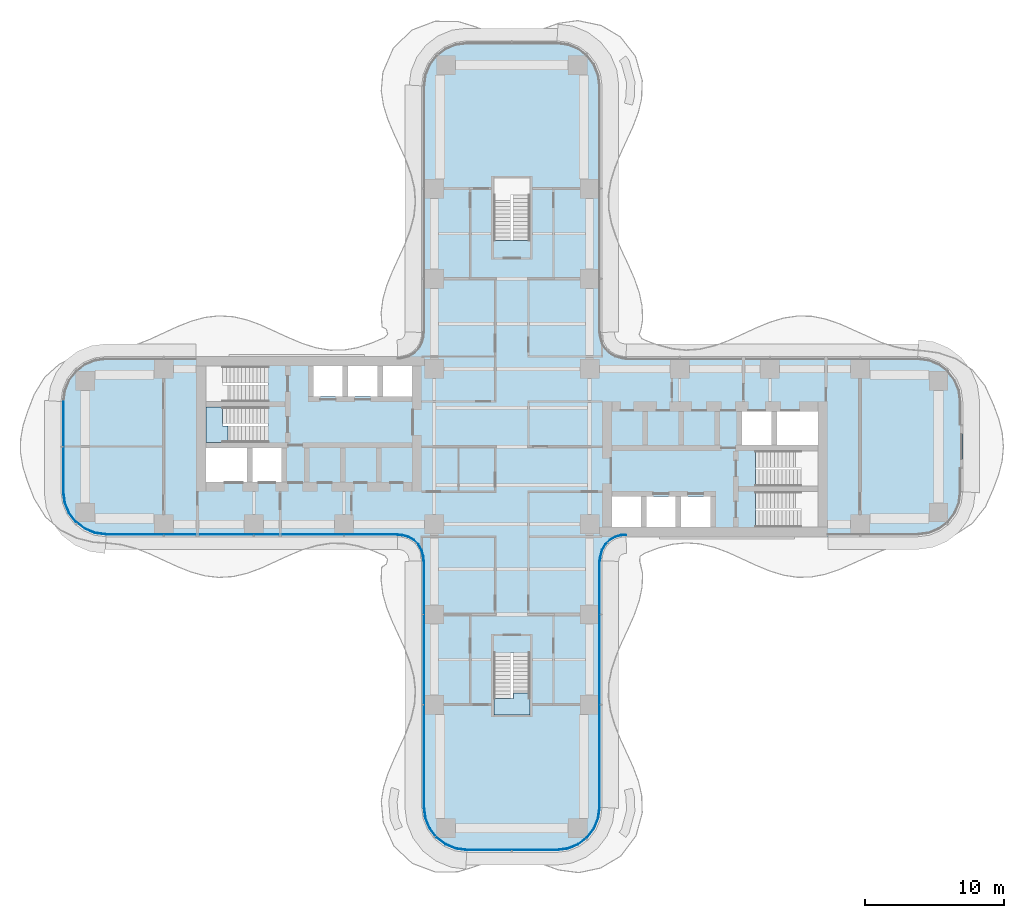
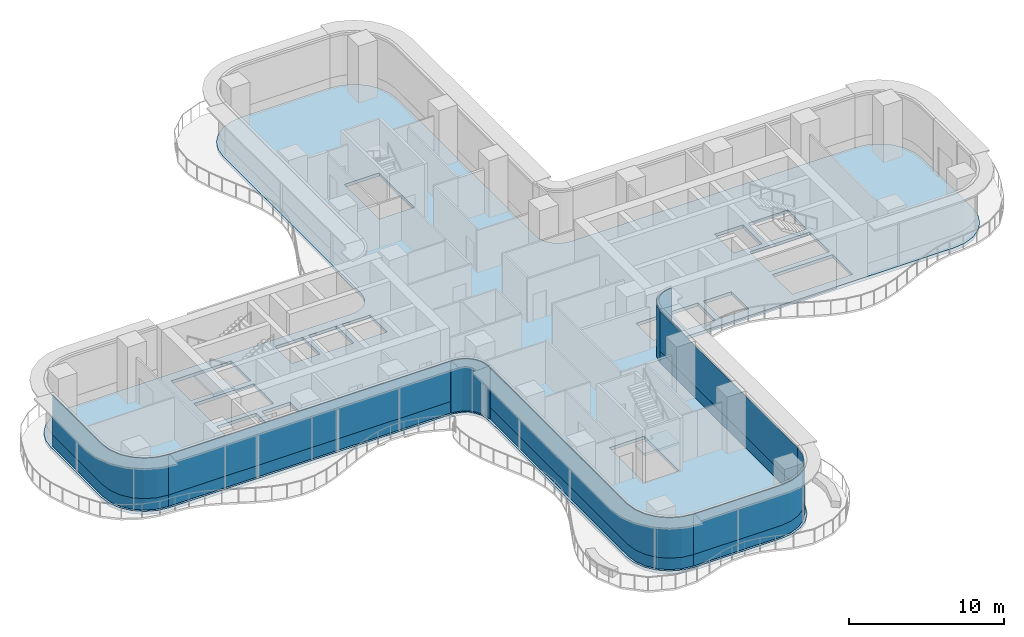
# One storey, part 14 of 22: 12 plates, 3 slabs, 9 elements without a shape of their own.
"""IFC4 building model written with IfcOpenShell, lengths in metres."""

from ifc_helpers import new_model, si_unit, direction, frame, origin, place, context, subcontext, project, spatial, polyline, outline, extrude, source, transform, mapped, material, layer, layer_set, type_object, element, aggregate, save


model = new_model("IFC4")

# Units and contexts
model_context = context("Model", 3, precision=1e-05, world=origin(), true_north=direction((0.0, 1.0)))
body_context = subcontext(model_context, "Body", "Model", "MODEL_VIEW")
ifc_project = project(units=[si_unit("LENGTHUNIT", "METRE"), si_unit("AREAUNIT", "SQUARE_METRE"), si_unit("VOLUMEUNIT", "CUBIC_METRE"), si_unit("PLANEANGLEUNIT", "RADIAN"), si_unit("MASSUNIT", "GRAM", prefix="KILO")], contexts=[model_context])

# Site, building, storey
site_placement = place(None, origin())
site = spatial("IfcSite", under=ifc_project, at=site_placement, CompositionType="ELEMENT")
building_placement = place(site_placement, origin())
building = spatial("IfcBuilding", under=site, at=building_placement, Name="Trellis Farm Tower", CompositionType="ELEMENT")
storey_placement = place(building_placement, frame((0.0, 0.0, 43.0)))
storey = spatial("IfcBuildingStorey", under=building, at=storey_placement, Name="L08", CompositionType="ELEMENT", Elevation=43.0)

# Slab
ifc_material_1 = material(Name="Concrete C40/50", Category="concrete")
ifc_layer_1 = layer(ifc_material_1, 0.25)
ifc_layer_set_1 = layer_set([ifc_layer_1], Name="Composite deck floor slab 250")
slab_type_1 = type_object("IfcSlabType", Name="Composite deck floor slab 250", PredefinedType="FLOOR", material=ifc_layer_set_1)
shared_shape_1 = source(origin(), body_context, "Body", "SweptSolid", [
    extrude(outline(polyline([(-30.09130859375, -6.389404296875), (-30.875, -6.064697265625), (-31.548095703125, -5.548095703125), (-32.064697265625, -4.875), (-32.389404296875, -4.09130859375), (-32.5, -3.25), (-32.5, 3.25), (-32.389404296875, 4.09130859375), (-32.064697265625, 4.875), (-31.548095703125, 5.548095703125), (-30.875, 6.064697265625), (-30.09130859375, 6.389404296875), (-29.25, 6.5), (-8.2314453125, 6.5), (-8.01953125, 6.513916015625), (-7.91552734375, 6.527587890625), (-7.508544921875, 6.63671875), (-7.144287109375, 6.846923828125), (-6.846923828125, 7.144287109375), (-6.63671875, 7.508544921875), (-6.527587890625, 7.91552734375), (-6.513916015625, 8.01953125), (-6.5, 8.2314453125), (-6.5, 26.0), (-6.389404296875, 26.84130859375), (-6.064697265625, 27.625), (-5.548095703125, 28.298095703125), (-4.875, 28.814697265625), (-4.09130859375, 29.139404296875), (-3.25, 29.25), (3.25, 29.25), (4.09130859375, 29.139404296875), (4.875, 28.814697265625), (5.548095703125, 28.298095703125), (6.064697265625, 27.625), (6.389404296875, 26.84130859375), (6.5, 26.0), (6.5, 8.2314453125), (6.513916015625, 8.01953125), (6.527587890625, 7.91552734375), (6.63671875, 7.508544921875), (6.846923828125, 7.144287109375), (7.144287109375, 6.846923828125), (7.508544921875, 6.63671875), (7.91552734375, 6.527587890625), (8.01953125, 6.513916015625), (8.2314453125, 6.5), (29.25, 6.5), (30.09130859375, 6.389404296875), (30.875, 6.064697265625), (31.548095703125, 5.548095703125), (32.064697265625, 4.875), (32.389404296875, 4.09130859375), (32.5, 3.25), (32.5, -3.25), (32.389404296875, -4.09130859375), (32.064697265625, -4.875), (31.548095703125, -5.548095703125), (30.875, -6.064697265625), (30.09130859375, -6.389404296875), (29.25, -6.5), (8.2314453125, -6.5), (8.01953125, -6.513916015625), (7.91552734375, -6.527587890625), (7.508544921875, -6.63671875), (7.144287109375, -6.846923828125), (6.846923828125, -7.144287109375), (6.63671875, -7.508544921875), (6.527587890625, -7.91552734375), (6.513916015625, -8.01953125), (6.5, -8.2314453125), (6.5, -26.0), (6.389404296875, -26.84130859375), (6.064697265625, -27.625), (5.548095703125, -28.298095703125), (4.875, -28.814697265625), (4.09130859375, -29.139404296875), (3.25, -29.25), (-3.25, -29.25), (-4.09130859375, -29.139404296875), (-4.875, -28.814697265625), (-5.548095703125, -28.298095703125), (-6.064697265625, -27.625), (-6.389404296875, -26.84130859375), (-6.5, -26.0), (-6.5, -8.2314453125), (-6.513916015625, -8.01953125), (-6.527587890625, -7.91552734375), (-6.63671875, -7.508544921875), (-6.846923828125, -7.144287109375), (-7.144287109375, -6.846923828125), (-7.508544921875, -6.63671875), (-7.91552734375, -6.527587890625), (-8.01953125, -6.513916015625), (-8.2314453125, -6.5), (-29.25, -6.5), (-30.09130859375, -6.389404296875)]), holes=[polyline([(-22.050048828125, -0.10009765625), (-22.050048828125, -2.550048828125), (-19.10009765625, -2.550048828125), (-19.10009765625, -0.10009765625), (-22.050048828125, -0.10009765625)]), polyline([(-18.699951171875, -0.10009765625), (-18.699951171875, -2.550048828125), (-16.60009765625, -2.550048828125), (-16.60009765625, -0.10009765625), (-18.699951171875, -0.10009765625)]), polyline([(-17.56201171875, 1.64990234375), (-17.56201171875, 2.85009765625), (-22.050048828125, 2.85009765625), (-22.050048828125, 0.300048828125), (-17.56005859375, 0.300048828125), (-17.56005859375, 1.5), (-17.550048828125, 1.5), (-17.550048828125, 1.64990234375), (-17.56201171875, 1.64990234375)]), polyline([(-17.56201171875, 4.60009765625), (-17.56201171875, 5.800048828125), (-22.050048828125, 5.800048828125), (-22.050048828125, 3.25), (-17.56005859375, 3.25), (-17.56005859375, 4.449951171875), (-17.550048828125, 4.449951171875), (-17.550048828125, 4.60009765625), (-17.56201171875, 4.60009765625)]), polyline([(-14.300048828125, 5.800048828125), (-14.300048828125, 3.60009765625), (-12.199951171875, 3.60009765625), (-12.199951171875, 5.800048828125), (-14.300048828125, 5.800048828125)]), polyline([(-11.800048828125, 5.800048828125), (-11.800048828125, 3.60009765625), (-9.699951171875, 3.60009765625), (-9.699951171875, 5.800048828125), (-11.800048828125, 5.800048828125)]), polyline([(-9.300048828125, 5.800048828125), (-9.300048828125, 3.60009765625), (-7.199951171875, 3.60009765625), (-7.199951171875, 5.800048828125), (-9.300048828125, 5.800048828125)]), polyline([(0.10009765625, 14.862060546875), (1.300048828125, 14.862060546875), (1.300048828125, 19.35009765625), (-1.300048828125, 19.35009765625), (-1.300048828125, 14.860107421875), (-0.10009765625, 14.860107421875), (-0.10009765625, 14.85009765625), (0.10009765625, 14.85009765625), (0.10009765625, 14.862060546875)]), polyline([(-0.10009765625, -14.862060546875), (-1.300048828125, -14.862060546875), (-1.300048828125, -19.35009765625), (1.300048828125, -19.35009765625), (1.300048828125, -14.860107421875), (0.10009765625, -14.860107421875), (0.10009765625, -14.85009765625), (-0.10009765625, -14.85009765625), (-0.10009765625, -14.862060546875)]), polyline([(9.300048828125, -5.800048828125), (9.300048828125, -3.60009765625), (7.199951171875, -3.60009765625), (7.199951171875, -5.800048828125), (9.300048828125, -5.800048828125)]), polyline([(11.800048828125, -5.800048828125), (11.800048828125, -3.60009765625), (9.699951171875, -3.60009765625), (9.699951171875, -5.800048828125), (11.800048828125, -5.800048828125)]), polyline([(14.300048828125, -5.800048828125), (14.300048828125, -3.60009765625), (12.199951171875, -3.60009765625), (12.199951171875, -5.800048828125), (14.300048828125, -5.800048828125)]), polyline([(17.56201171875, -4.60009765625), (17.56201171875, -5.800048828125), (22.050048828125, -5.800048828125), (22.050048828125, -3.25), (17.56005859375, -3.25), (17.56005859375, -4.449951171875), (17.550048828125, -4.449951171875), (17.550048828125, -4.60009765625), (17.56201171875, -4.60009765625)]), polyline([(17.56201171875, -1.64990234375), (17.56201171875, -2.85009765625), (22.050048828125, -2.85009765625), (22.050048828125, -0.300048828125), (17.56005859375, -0.300048828125), (17.56005859375, -1.5), (17.550048828125, -1.5), (17.550048828125, -1.64990234375), (17.56201171875, -1.64990234375)]), polyline([(18.699951171875, 0.10009765625), (18.699951171875, 2.550048828125), (16.60009765625, 2.550048828125), (16.60009765625, 0.10009765625), (18.699951171875, 0.10009765625)]), polyline([(22.050048828125, 0.10009765625), (22.050048828125, 2.550048828125), (19.10009765625, 2.550048828125), (19.10009765625, 0.10009765625), (22.050048828125, 0.10009765625)])]), origin(), (0.0, 0.0, 1.0), 0.25),
])
slab_1_placement = place(storey_placement, frame((0.0, 0.0, -0.25)))
element("IfcSlab", 1, at=slab_1_placement, inside=storey, type_object=slab_type_1, Name="Floor slab", PredefinedType="FLOOR", context=body_context, shape_type="MappedRepresentation", body=[
    mapped(shared_shape_1, transform((0.0, 0.0, 0.0))),
])

# Stair, slab
ifc_material_2 = material(Name="Concrete C50/60", Category="concrete")
stair_type = type_object("IfcStairType", Name="CORE EXIT STAIR 26 RISERS 173 MM", PredefinedType="HALF_TURN_STAIR", material=ifc_material_2)
placement_1 = place(storey_placement, origin())
stair_1 = element("IfcStair", 2, at=placement_1, inside=storey, type_object=stair_type, Name="Exit stair S", PredefinedType="HALF_TURN_STAIR")
ifc_layer_2 = layer(ifc_material_2, 0.18994140625)
ifc_layer_set_2 = layer_set([ifc_layer_2], Name="CORE STAIR LANDING 190 CONCRETE C50/60")
slab_type_2 = type_object("IfcSlabType", Name="CORE STAIR LANDING 190 CONCRETE C50/60", PredefinedType="LANDING", material=ifc_layer_set_2)
shared_shape_2 = source(origin(), body_context, "Body", "SweptSolid", [
    extrude(outline(polyline([(1.300048828125, -19.35009765625), (-1.300048828125, -19.35009765625), (-1.300048828125, -18.14990234375), (-1.300048828125, -18.139892578125), (-0.10009765625, -18.139892578125), (-0.10009765625, -18.14990234375), (0.10009765625, -18.14990234375), (0.10009765625, -17.753173828125), (1.300048828125, -17.753173828125), (1.300048828125, -18.14990234375), (1.300048828125, -19.35009765625)])), origin(), (0.0, 0.0, 1.0), 0.18994140625),
])
placement_2 = place(storey_placement, frame((0.0, 0.0, 2.06005859375)))
slab_2 = element("IfcSlab", 3, at=placement_2, type_object=slab_type_2, Name="STS landing 1", PredefinedType="LANDING", context=body_context, shape_type="MappedRepresentation", body=[
    mapped(shared_shape_2, transform((0.0, 0.0, 0.0))),
])
aggregate(stair_1, [slab_2])

stair_2 = element("IfcStair", 4, at=placement_1, inside=storey, type_object=stair_type, Name="Exit stair W2", PredefinedType="HALF_TURN_STAIR")
shared_shape_3 = source(origin(), body_context, "Body", "SweptSolid", [
    extrude(outline(polyline([(-20.453125, 1.5), (-20.453125, 0.300048828125), (-20.85009765625, 0.300048828125), (-22.050048828125, 0.300048828125), (-22.050048828125, 2.85009765625), (-20.85009765625, 2.85009765625), (-20.840087890625, 2.85009765625), (-20.840087890625, 1.64990234375), (-20.85009765625, 1.64990234375), (-20.85009765625, 1.5), (-20.453125, 1.5)])), origin(), (0.0, 0.0, 1.0), 0.18994140625),
])
slab_3 = element("IfcSlab", 5, at=placement_2, type_object=slab_type_2, Name="STW2 landing 1", PredefinedType="LANDING", context=body_context, shape_type="MappedRepresentation", body=[
    mapped(shared_shape_3, transform((0.0, 0.0, 0.0))),
])
aggregate(stair_2, [slab_3])

# Curtain wall, plates
ifc_material_3 = material(Name="Aluminium and glass curtain wall", Category="aluminium")
ifc_layer_3 = layer(ifc_material_3, 0.18994140625)
ifc_layer_set_3 = layer_set([ifc_layer_3], Name="RIBBON CURTAIN WALL CW1")
curtain_wall_type_1 = type_object("IfcCurtainWallType", Name="RIBBON CURTAIN WALL CW1", PredefinedType="NOTDEFINED", material=ifc_layer_set_3)
curtain_wall_1 = element("IfcCurtainWall", 6, at=placement_1, inside=storey, type_object=curtain_wall_type_1, Name="CW1 001", PredefinedType="NOTDEFINED")
ifc_material_4 = material(Name="Clear insulated glass", Category="glass")
ifc_layer_4 = layer(ifc_material_4, 0.0400390625)
ifc_layer_set_4 = layer_set([ifc_layer_4], Name="CW1 GLASS PANEL 40")
plate_type_1 = type_object("IfcPlateType", Name="CW1 GLASS PANEL 40", PredefinedType="CURTAIN_PANEL", material=ifc_layer_set_4)
shared_shape_4 = source(origin(), body_context, "Body", "SweptSolid", [
    extrude(outline(polyline([(-29.240234375, -6.35009765625), (-8.2265625, -6.35009765625), (-8.22509765625, -6.31005859375), (-29.237548828125, -6.31005859375), (-29.240234375, -6.35009765625)])), origin(), (0.0, 0.0, 1.0), 3.170166015625),
])
placement_3 = place(storey_placement, frame((0.0, 0.0, 0.89990234375)))
plate_1 = element("IfcPlate", 7, at=placement_3, type_object=plate_type_1, Name="PL1 001", PredefinedType="CURTAIN_PANEL", context=body_context, shape_type="MappedRepresentation", body=[
    mapped(shared_shape_4, transform((0.0, 0.0, 0.0))),
])
ifc_material_5 = material(Name="Sandstone faced insulated panel", Category="masonry")
ifc_layer_5 = layer(ifc_material_5, 0.050048828125)
ifc_layer_set_5 = layer_set([ifc_layer_5], Name="CW1 STONE SPANDREL PANEL 50")
plate_type_2 = type_object("IfcPlateType", Name="CW1 STONE SPANDREL PANEL 50", PredefinedType="CURTAIN_PANEL", material=ifc_layer_set_5)
shared_shape_5 = source(origin(), body_context, "Body", "SweptSolid", [
    extrude(outline(polyline([(-29.240234375, -6.35009765625), (-8.2265625, -6.35009765625), (-8.224853515625, -6.300048828125), (-29.23681640625, -6.300048828125), (-29.240234375, -6.35009765625)])), origin(), (0.0, 0.0, 1.0), 0.89990234375),
])
plate_2 = element("IfcPlate", 8, at=placement_1, type_object=plate_type_2, Name="PS1 001", PredefinedType="CURTAIN_PANEL", context=body_context, shape_type="MappedRepresentation", body=[
    mapped(shared_shape_5, transform((0.0, 0.0, 0.0))),
])
aggregate(curtain_wall_1, [plate_1, plate_2])

# Curtain wall, plate
ifc_layer_6 = layer(ifc_material_3, 0.166015625)
ifc_layer_set_6 = layer_set([ifc_layer_6], Name="WINTER GARDEN CURTAIN WALL CW3")
curtain_wall_type_2 = type_object("IfcCurtainWallType", Name="WINTER GARDEN CURTAIN WALL CW3", PredefinedType="NOTDEFINED", material=ifc_layer_set_6)
curtain_wall_2 = element("IfcCurtainWall", 9, at=placement_1, inside=storey, type_object=curtain_wall_type_2, Name="CW3 001", PredefinedType="NOTDEFINED")
ifc_layer_7 = layer(ifc_material_4, 0.0458984375)
ifc_layer_set_7 = layer_set([ifc_layer_7], Name="CW3 GLASS PANEL 46")
plate_type_3 = type_object("IfcPlateType", Name="CW3 GLASS PANEL 46", PredefinedType="CURTAIN_PANEL", material=ifc_layer_set_7)
shared_shape_6 = source(origin(), body_context, "Body", "SweptSolid", [
    extrude(outline(polyline([(-8.2275390625, -6.3798828125), (-8.0078125, -6.394287109375), (-7.89208984375, -6.40966796875), (-7.462158203125, -6.52490234375), (-7.070556640625, -6.7509765625), (-6.7509765625, -7.070556640625), (-6.52490234375, -7.462158203125), (-6.40966796875, -7.89208984375), (-6.394287109375, -8.0078125), (-6.3798828125, -8.2275390625), (-6.333984375, -8.22607421875), (-6.3486328125, -8.003173828125), (-6.364501953125, -7.883056640625), (-6.48193359375, -7.4443359375), (-6.714111328125, -7.04248046875), (-7.04248046875, -6.714111328125), (-7.4443359375, -6.48193359375), (-7.883056640625, -6.364501953125), (-8.003173828125, -6.3486328125), (-8.22607421875, -6.333984375), (-8.2275390625, -6.3798828125)])), origin(), (0.0, 0.0, 1.0), 4.10009765625),
])
plate_3 = element("IfcPlate", 10, at=placement_1, type_object=plate_type_3, Name="PL3 001", PredefinedType="CURTAIN_PANEL", context=body_context, shape_type="MappedRepresentation", body=[
    mapped(shared_shape_6, transform((0.0, 0.0, 0.0))),
])
aggregate(curtain_wall_2, [plate_3])

# Curtain wall, plates
curtain_wall_3 = element("IfcCurtainWall", 11, at=placement_1, inside=storey, type_object=curtain_wall_type_1, Name="CW1 003", PredefinedType="NOTDEFINED")
shared_shape_7 = source(origin(), body_context, "Body", "SweptSolid", [
    extrude(outline(polyline([(-3.240234375, -29.10009765625), (3.240234375, -29.10009765625), (4.052001953125, -28.9931640625), (4.79931640625, -28.68359375), (5.441162109375, -28.191162109375), (5.93359375, -27.54931640625), (6.2431640625, -26.802001953125), (6.35009765625, -25.990234375), (6.31005859375, -25.987548828125), (6.2041015625, -26.79150390625), (5.898681640625, -27.529296875), (5.41259765625, -28.16259765625), (4.779296875, -28.648681640625), (4.04150390625, -28.9541015625), (3.237548828125, -29.06005859375), (-3.237548828125, -29.06005859375), (-3.240234375, -29.10009765625)])), origin(), (0.0, 0.0, 1.0), 3.170166015625),
])
plate_4 = element("IfcPlate", 12, at=placement_3, type_object=plate_type_1, Name="PL1 003", PredefinedType="CURTAIN_PANEL", context=body_context, shape_type="MappedRepresentation", body=[
    mapped(shared_shape_7, transform((0.0, 0.0, 0.0))),
])
shared_shape_8 = source(origin(), body_context, "Body", "SweptSolid", [
    extrude(outline(polyline([(-3.240234375, -29.10009765625), (3.240234375, -29.10009765625), (4.052001953125, -28.9931640625), (4.79931640625, -28.68359375), (5.441162109375, -28.191162109375), (5.93359375, -27.54931640625), (6.2431640625, -26.802001953125), (6.35009765625, -25.990234375), (6.300048828125, -25.98681640625), (6.1943359375, -26.7890625), (5.889892578125, -27.524169921875), (5.405517578125, -28.155517578125), (4.774169921875, -28.639892578125), (4.0390625, -28.9443359375), (3.23681640625, -29.050048828125), (-3.23681640625, -29.050048828125), (-3.240234375, -29.10009765625)])), origin(), (0.0, 0.0, 1.0), 0.89990234375),
])
plate_5 = element("IfcPlate", 13, at=placement_1, type_object=plate_type_2, Name="PS1 003", PredefinedType="CURTAIN_PANEL", context=body_context, shape_type="MappedRepresentation", body=[
    mapped(shared_shape_8, transform((0.0, 0.0, 0.0))),
])
aggregate(curtain_wall_3, [plate_4, plate_5])

curtain_wall_4 = element("IfcCurtainWall", 14, at=placement_1, inside=storey, type_object=curtain_wall_type_1, Name="CW1 004", PredefinedType="NOTDEFINED")
shared_shape_9 = source(origin(), body_context, "Body", "SweptSolid", [
    extrude(outline(polyline([(6.35009765625, -25.990234375), (6.35009765625, -8.2265625), (6.31005859375, -8.22509765625), (6.31005859375, -25.987548828125), (6.35009765625, -25.990234375)])), origin(), (0.0, 0.0, 1.0), 3.170166015625),
])
plate_6 = element("IfcPlate", 15, at=placement_3, type_object=plate_type_1, Name="PL1 004", PredefinedType="CURTAIN_PANEL", context=body_context, shape_type="MappedRepresentation", body=[
    mapped(shared_shape_9, transform((0.0, 0.0, 0.0))),
])
shared_shape_10 = source(origin(), body_context, "Body", "SweptSolid", [
    extrude(outline(polyline([(6.35009765625, -25.990234375), (6.35009765625, -8.2265625), (6.300048828125, -8.224853515625), (6.300048828125, -25.98681640625), (6.35009765625, -25.990234375)])), origin(), (0.0, 0.0, 1.0), 0.89990234375),
])
plate_7 = element("IfcPlate", 16, at=placement_1, type_object=plate_type_2, Name="PS1 004", PredefinedType="CURTAIN_PANEL", context=body_context, shape_type="MappedRepresentation", body=[
    mapped(shared_shape_10, transform((0.0, 0.0, 0.0))),
])
aggregate(curtain_wall_4, [plate_6, plate_7])

# Curtain wall, plate
curtain_wall_5 = element("IfcCurtainWall", 17, at=placement_1, inside=storey, type_object=curtain_wall_type_2, Name="CW3 002", PredefinedType="NOTDEFINED")
shared_shape_11 = source(origin(), body_context, "Body", "SweptSolid", [
    extrude(outline(polyline([(6.3798828125, -8.2275390625), (6.394287109375, -8.0078125), (6.40966796875, -7.89208984375), (6.52490234375, -7.462158203125), (6.7509765625, -7.070556640625), (7.070556640625, -6.7509765625), (7.462158203125, -6.52490234375), (7.89208984375, -6.40966796875), (8.0078125, -6.394287109375), (8.2275390625, -6.3798828125), (8.22607421875, -6.333984375), (8.003173828125, -6.3486328125), (7.883056640625, -6.364501953125), (7.4443359375, -6.48193359375), (7.04248046875, -6.714111328125), (6.714111328125, -7.04248046875), (6.48193359375, -7.4443359375), (6.364501953125, -7.883056640625), (6.3486328125, -8.003173828125), (6.333984375, -8.22607421875), (6.3798828125, -8.2275390625)])), origin(), (0.0, 0.0, 1.0), 4.10009765625),
])
plate_8 = element("IfcPlate", 18, at=placement_1, type_object=plate_type_3, Name="PL3 002", PredefinedType="CURTAIN_PANEL", context=body_context, shape_type="MappedRepresentation", body=[
    mapped(shared_shape_11, transform((0.0, 0.0, 0.0))),
])
aggregate(curtain_wall_5, [plate_8])

# Curtain wall, plates
curtain_wall_6 = element("IfcCurtainWall", 19, at=placement_1, inside=storey, type_object=curtain_wall_type_1, Name="CW1 002", PredefinedType="NOTDEFINED")
shared_shape_12 = source(origin(), body_context, "Body", "SweptSolid", [
    extrude(outline(polyline([(-6.35009765625, -8.2265625), (-6.35009765625, -25.990234375), (-6.2431640625, -26.802001953125), (-5.93359375, -27.54931640625), (-5.441162109375, -28.191162109375), (-4.79931640625, -28.68359375), (-4.052001953125, -28.9931640625), (-3.240234375, -29.10009765625), (-3.237548828125, -29.06005859375), (-4.04150390625, -28.9541015625), (-4.779296875, -28.648681640625), (-5.41259765625, -28.16259765625), (-5.898681640625, -27.529296875), (-6.2041015625, -26.79150390625), (-6.31005859375, -25.987548828125), (-6.31005859375, -8.22509765625), (-6.35009765625, -8.2265625)])), origin(), (0.0, 0.0, 1.0), 3.170166015625),
])
plate_9 = element("IfcPlate", 20, at=placement_3, type_object=plate_type_1, Name="PL1 002", PredefinedType="CURTAIN_PANEL", context=body_context, shape_type="MappedRepresentation", body=[
    mapped(shared_shape_12, transform((0.0, 0.0, 0.0))),
])
shared_shape_13 = source(origin(), body_context, "Body", "SweptSolid", [
    extrude(outline(polyline([(-6.35009765625, -8.2265625), (-6.35009765625, -25.990234375), (-6.2431640625, -26.802001953125), (-5.93359375, -27.54931640625), (-5.441162109375, -28.191162109375), (-4.79931640625, -28.68359375), (-4.052001953125, -28.9931640625), (-3.240234375, -29.10009765625), (-3.23681640625, -29.050048828125), (-4.0390625, -28.9443359375), (-4.774169921875, -28.639892578125), (-5.405517578125, -28.155517578125), (-5.889892578125, -27.524169921875), (-6.1943359375, -26.7890625), (-6.300048828125, -25.98681640625), (-6.300048828125, -8.224853515625), (-6.35009765625, -8.2265625)])), origin(), (0.0, 0.0, 1.0), 0.89990234375),
])
plate_10 = element("IfcPlate", 21, at=placement_1, type_object=plate_type_2, Name="PS1 002", PredefinedType="CURTAIN_PANEL", context=body_context, shape_type="MappedRepresentation", body=[
    mapped(shared_shape_13, transform((0.0, 0.0, 0.0))),
])
aggregate(curtain_wall_6, [plate_9, plate_10])

curtain_wall_7 = element("IfcCurtainWall", 22, at=placement_1, inside=storey, type_object=curtain_wall_type_1, Name="CW1 013", PredefinedType="NOTDEFINED")
shared_shape_14 = source(origin(), body_context, "Body", "SweptSolid", [
    extrude(outline(polyline([(-32.35009765625, 3.240234375), (-32.35009765625, -3.240234375), (-32.2431640625, -4.052001953125), (-31.93359375, -4.79931640625), (-31.441162109375, -5.441162109375), (-30.79931640625, -5.93359375), (-30.052001953125, -6.2431640625), (-29.240234375, -6.35009765625), (-29.237548828125, -6.31005859375), (-30.04150390625, -6.2041015625), (-30.779296875, -5.898681640625), (-31.41259765625, -5.41259765625), (-31.898681640625, -4.779296875), (-32.2041015625, -4.04150390625), (-32.31005859375, -3.237548828125), (-32.31005859375, 3.237548828125), (-32.35009765625, 3.240234375)])), origin(), (0.0, 0.0, 1.0), 3.170166015625),
])
plate_11 = element("IfcPlate", 23, at=placement_3, type_object=plate_type_1, Name="PL1 013", PredefinedType="CURTAIN_PANEL", context=body_context, shape_type="MappedRepresentation", body=[
    mapped(shared_shape_14, transform((0.0, 0.0, 0.0))),
])
shared_shape_15 = source(origin(), body_context, "Body", "SweptSolid", [
    extrude(outline(polyline([(-32.35009765625, 3.240234375), (-32.35009765625, -3.240234375), (-32.2431640625, -4.052001953125), (-31.93359375, -4.79931640625), (-31.441162109375, -5.441162109375), (-30.79931640625, -5.93359375), (-30.052001953125, -6.2431640625), (-29.240234375, -6.35009765625), (-29.23681640625, -6.300048828125), (-30.0390625, -6.1943359375), (-30.774169921875, -5.889892578125), (-31.405517578125, -5.405517578125), (-31.889892578125, -4.774169921875), (-32.1943359375, -4.0390625), (-32.300048828125, -3.23681640625), (-32.300048828125, 3.23681640625), (-32.35009765625, 3.240234375)])), origin(), (0.0, 0.0, 1.0), 0.89990234375),
])
plate_12 = element("IfcPlate", 24, at=placement_1, type_object=plate_type_2, Name="PS1 013", PredefinedType="CURTAIN_PANEL", context=body_context, shape_type="MappedRepresentation", body=[
    mapped(shared_shape_15, transform((0.0, 0.0, 0.0))),
])
aggregate(curtain_wall_7, [plate_11, plate_12])

save(model, "model.ifc")
